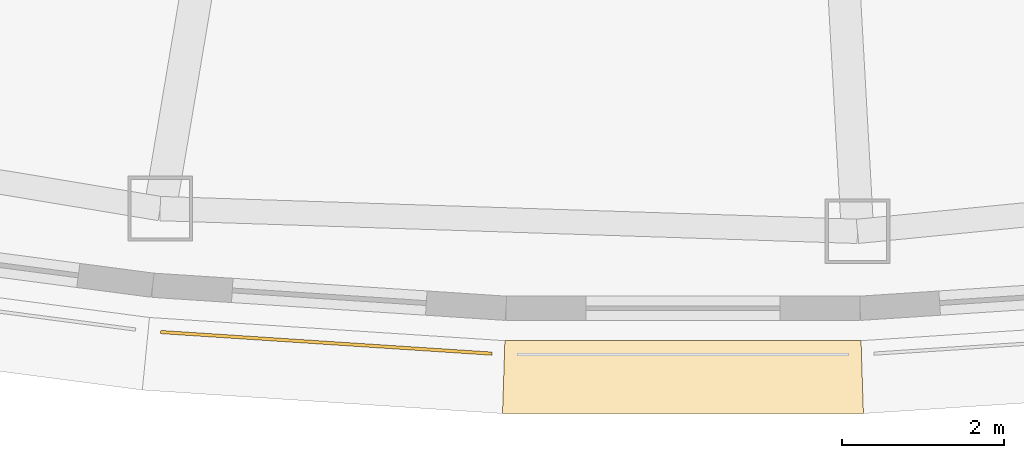
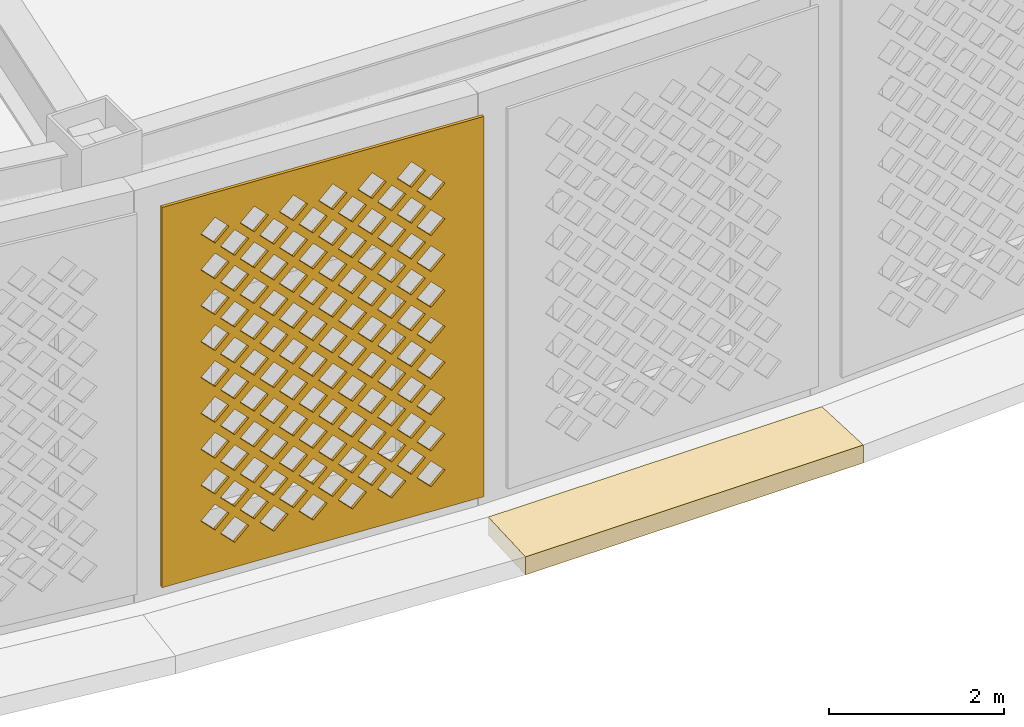
# One storey, part 57 of 74: 2 coverings.
"""IFC4 building model written with IfcOpenShell, lengths in metres."""

from ifc_helpers import new_model, si_unit, direction, frame, origin, place, context, subcontext, project, spatial, polyline, outline, extrude, material, layer, layer_set, type_object, element, save


model = new_model("IFC4")

# Units and contexts
model_context = context("Model", 3, precision=1e-05, world=origin(), true_north=direction((0.0, 1.0)))
body_context = subcontext(model_context, "Body", "Model", "MODEL_VIEW")
ifc_project = project(units=[si_unit("LENGTHUNIT", "METRE"), si_unit("AREAUNIT", "SQUARE_METRE"), si_unit("VOLUMEUNIT", "CUBIC_METRE"), si_unit("PLANEANGLEUNIT", "RADIAN"), si_unit("MASSUNIT", "GRAM", prefix="KILO")], contexts=[model_context])

# Site, building, storey
site_placement = place(None, origin())
site = spatial("IfcSite", under=ifc_project, at=site_placement, CompositionType="ELEMENT")
building_placement = place(site_placement, origin())
building = spatial("IfcBuilding", under=site, at=building_placement, Name="Noorbagh Ring Tower", CompositionType="ELEMENT")
storey_placement = place(building_placement, frame((0.0, 0.0, 13.5)))
storey = spatial("IfcBuildingStorey", under=building, at=storey_placement, Name="L02", CompositionType="ELEMENT", Elevation=13.5)

# Coverings
ifc_material_1 = material(Name="Red sandstone eave", Category="masonry")
covering_type_1 = type_object("IfcCoveringType", Name="STY-CHHAJJA", PredefinedType="USERDEFINED", material=ifc_material_1)
covering_1_placement = place(storey_placement, frame((0.0, 0.0, -0.25)))
element("IfcCovering", 1, at=covering_1_placement, inside=storey, type_object=covering_type_1, Name="Chhajja eave", ObjectType="CHHAJJA", PredefinedType="USERDEFINED", context=body_context, shape_type="SweptSolid", body=[
    extrude(outline(polyline([(-2.198486328125, -39.964111328125), (2.198486328125, -39.964111328125), (2.227783203125, -40.8642578125), (-2.227783203125, -40.8642578125), (-2.198486328125, -39.964111328125)])), origin(), (0.0, 0.0, 1.0), 0.25),
])
ifc_material_2 = material(Name="Red sandstone jali", Category="masonry")
ifc_layer = layer(ifc_material_2, 0.0400390625)
ifc_layer_set = layer_set([ifc_layer], Name="Red sandstone jali")
covering_type_2 = type_object("IfcCoveringType", Name="STY-JALI", PredefinedType="USERDEFINED", material=ifc_layer_set)
covering_2_placement = place(storey_placement, frame((-6.448974609375, -39.877197265625, 0.449951171875), z_axis=(-0.065130734288, -0.997876739608, 0.0), x_axis=(0.997876739608, -0.065130734288, 0.0)))
element("IfcCovering", 2, at=covering_2_placement, inside=storey, type_object=covering_type_2, Name="Jali screen", ObjectType="SCREEN", PredefinedType="USERDEFINED", context=body_context, shape_type="SweptSolid", body=[
    extrude(outline(polyline([(0.0, 0.0), (4.09716796875, 0.0), (4.09716796875, 5.300048828125), (0.0, 5.300048828125), (0.0, 0.0)]), holes=[polyline([(0.743408203125, 0.52490234375), (0.923583984375, 0.344970703125), (1.103515625, 0.52490234375), (0.923583984375, 0.705078125), (0.743408203125, 0.52490234375)]), polyline([(1.243408203125, 0.52490234375), (1.423583984375, 0.344970703125), (1.603515625, 0.52490234375), (1.423583984375, 0.705078125), (1.243408203125, 0.52490234375)]), polyline([(1.743408203125, 0.52490234375), (1.923583984375, 0.344970703125), (2.103515625, 0.52490234375), (1.923583984375, 0.705078125), (1.743408203125, 0.52490234375)]), polyline([(2.243408203125, 0.52490234375), (2.423583984375, 0.344970703125), (2.603515625, 0.52490234375), (2.423583984375, 0.705078125), (2.243408203125, 0.52490234375)]), polyline([(2.743408203125, 0.52490234375), (2.923583984375, 0.344970703125), (3.103515625, 0.52490234375), (2.923583984375, 0.705078125), (2.743408203125, 0.52490234375)]), polyline([(3.243408203125, 0.52490234375), (3.423583984375, 0.344970703125), (3.603515625, 0.52490234375), (3.423583984375, 0.705078125), (3.243408203125, 0.52490234375)]), polyline([(0.493408203125, 0.77490234375), (0.673583984375, 0.594970703125), (0.853515625, 0.77490234375), (0.673583984375, 0.955078125), (0.493408203125, 0.77490234375)]), polyline([(0.993408203125, 0.77490234375), (1.173583984375, 0.594970703125), (1.353515625, 0.77490234375), (1.173583984375, 0.955078125), (0.993408203125, 0.77490234375)]), polyline([(1.493408203125, 0.77490234375), (1.673583984375, 0.594970703125), (1.853515625, 0.77490234375), (1.673583984375, 0.955078125), (1.493408203125, 0.77490234375)]), polyline([(1.993408203125, 0.77490234375), (2.173583984375, 0.594970703125), (2.353515625, 0.77490234375), (2.173583984375, 0.955078125), (1.993408203125, 0.77490234375)]), polyline([(2.493408203125, 0.77490234375), (2.673583984375, 0.594970703125), (2.853515625, 0.77490234375), (2.673583984375, 0.955078125), (2.493408203125, 0.77490234375)]), polyline([(2.993408203125, 0.77490234375), (3.173583984375, 0.594970703125), (3.353515625, 0.77490234375), (3.173583984375, 0.955078125), (2.993408203125, 0.77490234375)]), polyline([(0.743408203125, 1.02490234375), (0.923583984375, 0.844970703125), (1.103515625, 1.02490234375), (0.923583984375, 1.205078125), (0.743408203125, 1.02490234375)]), polyline([(1.243408203125, 1.02490234375), (1.423583984375, 0.844970703125), (1.603515625, 1.02490234375), (1.423583984375, 1.205078125), (1.243408203125, 1.02490234375)]), polyline([(1.743408203125, 1.02490234375), (1.923583984375, 0.844970703125), (2.103515625, 1.02490234375), (1.923583984375, 1.205078125), (1.743408203125, 1.02490234375)]), polyline([(2.243408203125, 1.02490234375), (2.423583984375, 0.844970703125), (2.603515625, 1.02490234375), (2.423583984375, 1.205078125), (2.243408203125, 1.02490234375)]), polyline([(2.743408203125, 1.02490234375), (2.923583984375, 0.844970703125), (3.103515625, 1.02490234375), (2.923583984375, 1.205078125), (2.743408203125, 1.02490234375)]), polyline([(3.243408203125, 1.02490234375), (3.423583984375, 0.844970703125), (3.603515625, 1.02490234375), (3.423583984375, 1.205078125), (3.243408203125, 1.02490234375)]), polyline([(0.493408203125, 1.27490234375), (0.673583984375, 1.094970703125), (0.853515625, 1.27490234375), (0.673583984375, 1.455078125), (0.493408203125, 1.27490234375)]), polyline([(0.993408203125, 1.27490234375), (1.173583984375, 1.094970703125), (1.353515625, 1.27490234375), (1.173583984375, 1.455078125), (0.993408203125, 1.27490234375)]), polyline([(1.493408203125, 1.27490234375), (1.673583984375, 1.094970703125), (1.853515625, 1.27490234375), (1.673583984375, 1.455078125), (1.493408203125, 1.27490234375)]), polyline([(1.993408203125, 1.27490234375), (2.173583984375, 1.094970703125), (2.353515625, 1.27490234375), (2.173583984375, 1.455078125), (1.993408203125, 1.27490234375)]), polyline([(2.493408203125, 1.27490234375), (2.673583984375, 1.094970703125), (2.853515625, 1.27490234375), (2.673583984375, 1.455078125), (2.493408203125, 1.27490234375)]), polyline([(2.993408203125, 1.27490234375), (3.173583984375, 1.094970703125), (3.353515625, 1.27490234375), (3.173583984375, 1.455078125), (2.993408203125, 1.27490234375)]), polyline([(0.743408203125, 1.52490234375), (0.923583984375, 1.344970703125), (1.103515625, 1.52490234375), (0.923583984375, 1.705078125), (0.743408203125, 1.52490234375)]), polyline([(1.243408203125, 1.52490234375), (1.423583984375, 1.344970703125), (1.603515625, 1.52490234375), (1.423583984375, 1.705078125), (1.243408203125, 1.52490234375)]), polyline([(1.743408203125, 1.52490234375), (1.923583984375, 1.344970703125), (2.103515625, 1.52490234375), (1.923583984375, 1.705078125), (1.743408203125, 1.52490234375)]), polyline([(2.243408203125, 1.52490234375), (2.423583984375, 1.344970703125), (2.603515625, 1.52490234375), (2.423583984375, 1.705078125), (2.243408203125, 1.52490234375)]), polyline([(2.743408203125, 1.52490234375), (2.923583984375, 1.344970703125), (3.103515625, 1.52490234375), (2.923583984375, 1.705078125), (2.743408203125, 1.52490234375)]), polyline([(3.243408203125, 1.52490234375), (3.423583984375, 1.344970703125), (3.603515625, 1.52490234375), (3.423583984375, 1.705078125), (3.243408203125, 1.52490234375)]), polyline([(0.493408203125, 1.77490234375), (0.673583984375, 1.594970703125), (0.853515625, 1.77490234375), (0.673583984375, 1.955078125), (0.493408203125, 1.77490234375)]), polyline([(0.993408203125, 1.77490234375), (1.173583984375, 1.594970703125), (1.353515625, 1.77490234375), (1.173583984375, 1.955078125), (0.993408203125, 1.77490234375)]), polyline([(1.493408203125, 1.77490234375), (1.673583984375, 1.594970703125), (1.853515625, 1.77490234375), (1.673583984375, 1.955078125), (1.493408203125, 1.77490234375)]), polyline([(1.993408203125, 1.77490234375), (2.173583984375, 1.594970703125), (2.353515625, 1.77490234375), (2.173583984375, 1.955078125), (1.993408203125, 1.77490234375)]), polyline([(2.493408203125, 1.77490234375), (2.673583984375, 1.594970703125), (2.853515625, 1.77490234375), (2.673583984375, 1.955078125), (2.493408203125, 1.77490234375)]), polyline([(2.993408203125, 1.77490234375), (3.173583984375, 1.594970703125), (3.353515625, 1.77490234375), (3.173583984375, 1.955078125), (2.993408203125, 1.77490234375)]), polyline([(0.743408203125, 2.02490234375), (0.923583984375, 1.844970703125), (1.103515625, 2.02490234375), (0.923583984375, 2.205078125), (0.743408203125, 2.02490234375)]), polyline([(1.243408203125, 2.02490234375), (1.423583984375, 1.844970703125), (1.603515625, 2.02490234375), (1.423583984375, 2.205078125), (1.243408203125, 2.02490234375)]), polyline([(1.743408203125, 2.02490234375), (1.923583984375, 1.844970703125), (2.103515625, 2.02490234375), (1.923583984375, 2.205078125), (1.743408203125, 2.02490234375)]), polyline([(2.243408203125, 2.02490234375), (2.423583984375, 1.844970703125), (2.603515625, 2.02490234375), (2.423583984375, 2.205078125), (2.243408203125, 2.02490234375)]), polyline([(2.743408203125, 2.02490234375), (2.923583984375, 1.844970703125), (3.103515625, 2.02490234375), (2.923583984375, 2.205078125), (2.743408203125, 2.02490234375)]), polyline([(3.243408203125, 2.02490234375), (3.423583984375, 1.844970703125), (3.603515625, 2.02490234375), (3.423583984375, 2.205078125), (3.243408203125, 2.02490234375)]), polyline([(0.493408203125, 2.27490234375), (0.673583984375, 2.094970703125), (0.853515625, 2.27490234375), (0.673583984375, 2.455078125), (0.493408203125, 2.27490234375)]), polyline([(0.993408203125, 2.27490234375), (1.173583984375, 2.094970703125), (1.353515625, 2.27490234375), (1.173583984375, 2.455078125), (0.993408203125, 2.27490234375)]), polyline([(1.493408203125, 2.27490234375), (1.673583984375, 2.094970703125), (1.853515625, 2.27490234375), (1.673583984375, 2.455078125), (1.493408203125, 2.27490234375)]), polyline([(1.993408203125, 2.27490234375), (2.173583984375, 2.094970703125), (2.353515625, 2.27490234375), (2.173583984375, 2.455078125), (1.993408203125, 2.27490234375)]), polyline([(2.493408203125, 2.27490234375), (2.673583984375, 2.094970703125), (2.853515625, 2.27490234375), (2.673583984375, 2.455078125), (2.493408203125, 2.27490234375)]), polyline([(2.993408203125, 2.27490234375), (3.173583984375, 2.094970703125), (3.353515625, 2.27490234375), (3.173583984375, 2.455078125), (2.993408203125, 2.27490234375)]), polyline([(0.743408203125, 2.52490234375), (0.923583984375, 2.344970703125), (1.103515625, 2.52490234375), (0.923583984375, 2.705078125), (0.743408203125, 2.52490234375)]), polyline([(1.243408203125, 2.52490234375), (1.423583984375, 2.344970703125), (1.603515625, 2.52490234375), (1.423583984375, 2.705078125), (1.243408203125, 2.52490234375)]), polyline([(1.743408203125, 2.52490234375), (1.923583984375, 2.344970703125), (2.103515625, 2.52490234375), (1.923583984375, 2.705078125), (1.743408203125, 2.52490234375)]), polyline([(2.243408203125, 2.52490234375), (2.423583984375, 2.344970703125), (2.603515625, 2.52490234375), (2.423583984375, 2.705078125), (2.243408203125, 2.52490234375)]), polyline([(2.743408203125, 2.52490234375), (2.923583984375, 2.344970703125), (3.103515625, 2.52490234375), (2.923583984375, 2.705078125), (2.743408203125, 2.52490234375)]), polyline([(3.243408203125, 2.52490234375), (3.423583984375, 2.344970703125), (3.603515625, 2.52490234375), (3.423583984375, 2.705078125), (3.243408203125, 2.52490234375)]), polyline([(0.493408203125, 2.77490234375), (0.673583984375, 2.594970703125), (0.853515625, 2.77490234375), (0.673583984375, 2.955078125), (0.493408203125, 2.77490234375)]), polyline([(0.993408203125, 2.77490234375), (1.173583984375, 2.594970703125), (1.353515625, 2.77490234375), (1.173583984375, 2.955078125), (0.993408203125, 2.77490234375)]), polyline([(1.493408203125, 2.77490234375), (1.673583984375, 2.594970703125), (1.853515625, 2.77490234375), (1.673583984375, 2.955078125), (1.493408203125, 2.77490234375)]), polyline([(1.993408203125, 2.77490234375), (2.173583984375, 2.594970703125), (2.353515625, 2.77490234375), (2.173583984375, 2.955078125), (1.993408203125, 2.77490234375)]), polyline([(2.493408203125, 2.77490234375), (2.673583984375, 2.594970703125), (2.853515625, 2.77490234375), (2.673583984375, 2.955078125), (2.493408203125, 2.77490234375)]), polyline([(2.993408203125, 2.77490234375), (3.173583984375, 2.594970703125), (3.353515625, 2.77490234375), (3.173583984375, 2.955078125), (2.993408203125, 2.77490234375)]), polyline([(0.743408203125, 3.02490234375), (0.923583984375, 2.844970703125), (1.103515625, 3.02490234375), (0.923583984375, 3.205078125), (0.743408203125, 3.02490234375)]), polyline([(1.243408203125, 3.02490234375), (1.423583984375, 2.844970703125), (1.603515625, 3.02490234375), (1.423583984375, 3.205078125), (1.243408203125, 3.02490234375)]), polyline([(1.743408203125, 3.02490234375), (1.923583984375, 2.844970703125), (2.103515625, 3.02490234375), (1.923583984375, 3.205078125), (1.743408203125, 3.02490234375)]), polyline([(2.243408203125, 3.02490234375), (2.423583984375, 2.844970703125), (2.603515625, 3.02490234375), (2.423583984375, 3.205078125), (2.243408203125, 3.02490234375)]), polyline([(2.743408203125, 3.02490234375), (2.923583984375, 2.844970703125), (3.103515625, 3.02490234375), (2.923583984375, 3.205078125), (2.743408203125, 3.02490234375)]), polyline([(3.243408203125, 3.02490234375), (3.423583984375, 2.844970703125), (3.603515625, 3.02490234375), (3.423583984375, 3.205078125), (3.243408203125, 3.02490234375)]), polyline([(0.493408203125, 3.27490234375), (0.673583984375, 3.094970703125), (0.853515625, 3.27490234375), (0.673583984375, 3.455078125), (0.493408203125, 3.27490234375)]), polyline([(0.993408203125, 3.27490234375), (1.173583984375, 3.094970703125), (1.353515625, 3.27490234375), (1.173583984375, 3.455078125), (0.993408203125, 3.27490234375)]), polyline([(1.493408203125, 3.27490234375), (1.673583984375, 3.094970703125), (1.853515625, 3.27490234375), (1.673583984375, 3.455078125), (1.493408203125, 3.27490234375)]), polyline([(1.993408203125, 3.27490234375), (2.173583984375, 3.094970703125), (2.353515625, 3.27490234375), (2.173583984375, 3.455078125), (1.993408203125, 3.27490234375)]), polyline([(2.493408203125, 3.27490234375), (2.673583984375, 3.094970703125), (2.853515625, 3.27490234375), (2.673583984375, 3.455078125), (2.493408203125, 3.27490234375)]), polyline([(2.993408203125, 3.27490234375), (3.173583984375, 3.094970703125), (3.353515625, 3.27490234375), (3.173583984375, 3.455078125), (2.993408203125, 3.27490234375)]), polyline([(0.743408203125, 3.52490234375), (0.923583984375, 3.344970703125), (1.103515625, 3.52490234375), (0.923583984375, 3.705078125), (0.743408203125, 3.52490234375)]), polyline([(1.243408203125, 3.52490234375), (1.423583984375, 3.344970703125), (1.603515625, 3.52490234375), (1.423583984375, 3.705078125), (1.243408203125, 3.52490234375)]), polyline([(1.743408203125, 3.52490234375), (1.923583984375, 3.344970703125), (2.103515625, 3.52490234375), (1.923583984375, 3.705078125), (1.743408203125, 3.52490234375)]), polyline([(2.243408203125, 3.52490234375), (2.423583984375, 3.344970703125), (2.603515625, 3.52490234375), (2.423583984375, 3.705078125), (2.243408203125, 3.52490234375)]), polyline([(2.743408203125, 3.52490234375), (2.923583984375, 3.344970703125), (3.103515625, 3.52490234375), (2.923583984375, 3.705078125), (2.743408203125, 3.52490234375)]), polyline([(3.243408203125, 3.52490234375), (3.423583984375, 3.344970703125), (3.603515625, 3.52490234375), (3.423583984375, 3.705078125), (3.243408203125, 3.52490234375)]), polyline([(0.493408203125, 3.77490234375), (0.673583984375, 3.594970703125), (0.853515625, 3.77490234375), (0.673583984375, 3.955078125), (0.493408203125, 3.77490234375)]), polyline([(0.993408203125, 3.77490234375), (1.173583984375, 3.594970703125), (1.353515625, 3.77490234375), (1.173583984375, 3.955078125), (0.993408203125, 3.77490234375)]), polyline([(1.493408203125, 3.77490234375), (1.673583984375, 3.594970703125), (1.853515625, 3.77490234375), (1.673583984375, 3.955078125), (1.493408203125, 3.77490234375)]), polyline([(1.993408203125, 3.77490234375), (2.173583984375, 3.594970703125), (2.353515625, 3.77490234375), (2.173583984375, 3.955078125), (1.993408203125, 3.77490234375)]), polyline([(2.493408203125, 3.77490234375), (2.673583984375, 3.594970703125), (2.853515625, 3.77490234375), (2.673583984375, 3.955078125), (2.493408203125, 3.77490234375)]), polyline([(2.993408203125, 3.77490234375), (3.173583984375, 3.594970703125), (3.353515625, 3.77490234375), (3.173583984375, 3.955078125), (2.993408203125, 3.77490234375)]), polyline([(0.743408203125, 4.02490234375), (0.923583984375, 3.844970703125), (1.103515625, 4.02490234375), (0.923583984375, 4.205078125), (0.743408203125, 4.02490234375)]), polyline([(1.243408203125, 4.02490234375), (1.423583984375, 3.844970703125), (1.603515625, 4.02490234375), (1.423583984375, 4.205078125), (1.243408203125, 4.02490234375)]), polyline([(1.743408203125, 4.02490234375), (1.923583984375, 3.844970703125), (2.103515625, 4.02490234375), (1.923583984375, 4.205078125), (1.743408203125, 4.02490234375)]), polyline([(2.243408203125, 4.02490234375), (2.423583984375, 3.844970703125), (2.603515625, 4.02490234375), (2.423583984375, 4.205078125), (2.243408203125, 4.02490234375)]), polyline([(2.743408203125, 4.02490234375), (2.923583984375, 3.844970703125), (3.103515625, 4.02490234375), (2.923583984375, 4.205078125), (2.743408203125, 4.02490234375)]), polyline([(3.243408203125, 4.02490234375), (3.423583984375, 3.844970703125), (3.603515625, 4.02490234375), (3.423583984375, 4.205078125), (3.243408203125, 4.02490234375)]), polyline([(0.493408203125, 4.27490234375), (0.673583984375, 4.094970703125), (0.853515625, 4.27490234375), (0.673583984375, 4.455078125), (0.493408203125, 4.27490234375)]), polyline([(0.993408203125, 4.27490234375), (1.173583984375, 4.094970703125), (1.353515625, 4.27490234375), (1.173583984375, 4.455078125), (0.993408203125, 4.27490234375)]), polyline([(1.493408203125, 4.27490234375), (1.673583984375, 4.094970703125), (1.853515625, 4.27490234375), (1.673583984375, 4.455078125), (1.493408203125, 4.27490234375)]), polyline([(1.993408203125, 4.27490234375), (2.173583984375, 4.094970703125), (2.353515625, 4.27490234375), (2.173583984375, 4.455078125), (1.993408203125, 4.27490234375)]), polyline([(2.493408203125, 4.27490234375), (2.673583984375, 4.094970703125), (2.853515625, 4.27490234375), (2.673583984375, 4.455078125), (2.493408203125, 4.27490234375)]), polyline([(2.993408203125, 4.27490234375), (3.173583984375, 4.094970703125), (3.353515625, 4.27490234375), (3.173583984375, 4.455078125), (2.993408203125, 4.27490234375)]), polyline([(0.743408203125, 4.52490234375), (0.923583984375, 4.344970703125), (1.103515625, 4.52490234375), (0.923583984375, 4.705078125), (0.743408203125, 4.52490234375)]), polyline([(1.243408203125, 4.52490234375), (1.423583984375, 4.344970703125), (1.603515625, 4.52490234375), (1.423583984375, 4.705078125), (1.243408203125, 4.52490234375)]), polyline([(1.743408203125, 4.52490234375), (1.923583984375, 4.344970703125), (2.103515625, 4.52490234375), (1.923583984375, 4.705078125), (1.743408203125, 4.52490234375)]), polyline([(2.243408203125, 4.52490234375), (2.423583984375, 4.344970703125), (2.603515625, 4.52490234375), (2.423583984375, 4.705078125), (2.243408203125, 4.52490234375)]), polyline([(2.743408203125, 4.52490234375), (2.923583984375, 4.344970703125), (3.103515625, 4.52490234375), (2.923583984375, 4.705078125), (2.743408203125, 4.52490234375)]), polyline([(3.243408203125, 4.52490234375), (3.423583984375, 4.344970703125), (3.603515625, 4.52490234375), (3.423583984375, 4.705078125), (3.243408203125, 4.52490234375)]), polyline([(0.493408203125, 4.77490234375), (0.673583984375, 4.594970703125), (0.853515625, 4.77490234375), (0.673583984375, 4.955078125), (0.493408203125, 4.77490234375)]), polyline([(0.993408203125, 4.77490234375), (1.173583984375, 4.594970703125), (1.353515625, 4.77490234375), (1.173583984375, 4.955078125), (0.993408203125, 4.77490234375)]), polyline([(1.493408203125, 4.77490234375), (1.673583984375, 4.594970703125), (1.853515625, 4.77490234375), (1.673583984375, 4.955078125), (1.493408203125, 4.77490234375)]), polyline([(1.993408203125, 4.77490234375), (2.173583984375, 4.594970703125), (2.353515625, 4.77490234375), (2.173583984375, 4.955078125), (1.993408203125, 4.77490234375)]), polyline([(2.493408203125, 4.77490234375), (2.673583984375, 4.594970703125), (2.853515625, 4.77490234375), (2.673583984375, 4.955078125), (2.493408203125, 4.77490234375)]), polyline([(2.993408203125, 4.77490234375), (3.173583984375, 4.594970703125), (3.353515625, 4.77490234375), (3.173583984375, 4.955078125), (2.993408203125, 4.77490234375)])]), origin(), (0.0, 0.0, -1.0), 0.0400390625),
])

save(model, "model.ifc")
